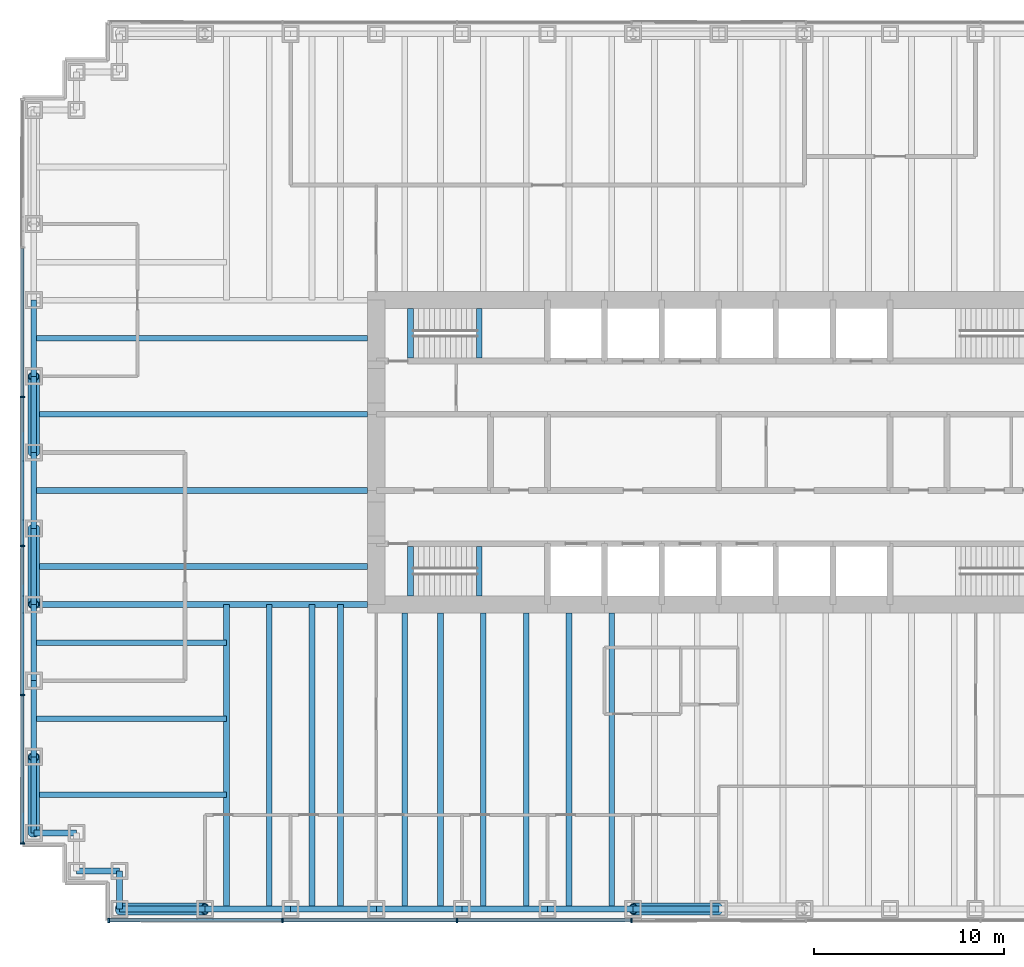
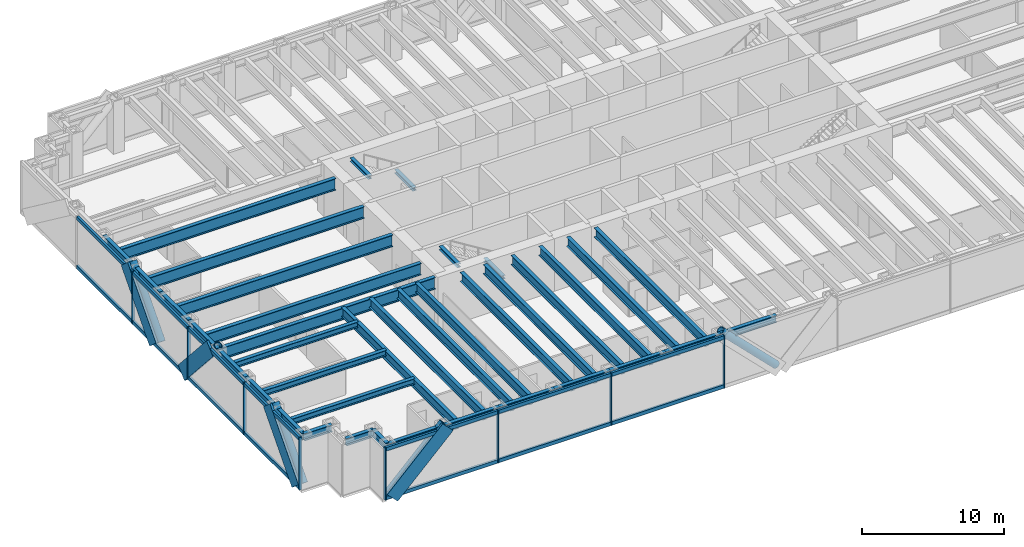
# One storey, part 2 of 13: 39 beams, 31 members, 2 elements without a shape of their own.
"""IFC4 building model written with IfcOpenShell, lengths in metres."""

import ifcopenshell
import ifcopenshell.guid

model = None  # the IFC model being written
_history = None  # IfcOwnerHistory: only IFC2X3 demands one
_inside = {}  # id of a spatial element -> (the spatial element, [elements in it])
_under = {}  # id of a project, library or spatial element -> (it, [spatial elements below it])
_declared = {}  # id of a project -> (the project, [libraries it declares])
_typed = {}  # id of a type object -> (the type object, [elements of that type])
_made_of = {}  # id of a material, layer set ... -> (it, [elements and type objects made of it])


def new_model(schema):
    """Start an empty IFC model of exactly this schema.

    Asked for "IFC4X3", IfcOpenShell would pick the latest addendum, in which some entities
    have other attributes; the version numbers below select the first issue.
    IFC2X3 requires an IfcOwnerHistory on every rooted entity: one is made here for all.
    """
    global model, _history
    if schema == "IFC4X3":
        model = ifcopenshell.file(schema_version=(4, 3, 0, 0))
    else:
        model = ifcopenshell.file(schema=schema)
    _inside.clear()
    _under.clear()
    _declared.clear()
    _typed.clear()
    _made_of.clear()
    _history = None
    if model.schema == "IFC2X3":
        org = make("IfcOrganization", Name="unknown")
        user = make(
            "IfcPersonAndOrganization",
            ThePerson=make("IfcPerson", FamilyName="unknown"),
            TheOrganization=org,
        )
        app = make(
            "IfcApplication",
            ApplicationDeveloper=org,
            Version="unknown",
            ApplicationFullName="unknown",
            ApplicationIdentifier="unknown",
        )
        _history = make(
            "IfcOwnerHistory",
            OwningUser=user,
            OwningApplication=app,
            ChangeAction="ADDED",
            CreationDate=0,
        )
    return model


def make(cls, **values):
    """One entity of the class cls with the attributes given. An attribute that is None is left unset."""
    return model.create_entity(
        cls, **{name: value for name, value in values.items() if value is not None}
    )


def rooted(cls, **values):
    """An entity with a GlobalId (a new one), such as an element, a storey or a relation."""
    return make(cls, GlobalId=ifcopenshell.guid.new(), OwnerHistory=_history, **values)


def si_unit(unit_type, name, prefix=None):
    """IfcSIUnit, for example si_unit("LENGTHUNIT", "METRE", prefix="MILLI")."""
    return make("IfcSIUnit", UnitType=unit_type, Prefix=prefix, Name=name)


def assignment(units):
    """IfcUnitAssignment: the units of a project."""
    return None if units is None else make("IfcUnitAssignment", Units=units)


def point(xyz):
    """IfcCartesianPoint."""
    return None if xyz is None else make("IfcCartesianPoint", Coordinates=xyz)


def direction(xyz):
    """IfcDirection."""
    return None if xyz is None else make("IfcDirection", DirectionRatios=xyz)


def frame(location, z_axis=None, x_axis=None):
    """IfcAxis2Placement3D, a coordinate frame: its origin and axes. An axis left out is left unset."""
    return make(
        "IfcAxis2Placement3D",
        Location=point(location),
        Axis=direction(z_axis),
        RefDirection=direction(x_axis),
    )


def frame_2d(location, x_axis=None):
    """IfcAxis2Placement2D, a coordinate frame in the plane: its origin and x axis."""
    return make(
        "IfcAxis2Placement2D", Location=point(location), RefDirection=direction(x_axis)
    )


def origin():
    """The frame at (0, 0, 0) with its axes left unset."""
    return frame((0.0, 0.0, 0.0))


def origin_2d():
    """The frame at (0, 0) in the plane with its x axis left unset."""
    return frame_2d((0.0, 0.0))


def place(relative_to, where):
    """IfcLocalPlacement: puts the frame where relative to a parent placement (None: the world)."""
    return make(
        "IfcLocalPlacement", PlacementRelTo=relative_to, RelativePlacement=where
    )


def context(
    kind, dimensions, precision=None, world=None, true_north=None, identifier=None
):
    """IfcGeometricRepresentationContext, for example the 3D "Model" context."""
    return make(
        "IfcGeometricRepresentationContext",
        ContextIdentifier=identifier,
        ContextType=kind,
        CoordinateSpaceDimension=dimensions,
        Precision=precision,
        WorldCoordinateSystem=world,
        TrueNorth=true_north,
    )


def subcontext(parent, identifier, kind, view, scale=None):
    """IfcGeometricRepresentationSubContext, for example "Body" below "Model"."""
    return make(
        "IfcGeometricRepresentationSubContext",
        ContextIdentifier=identifier,
        ContextType=kind,
        ParentContext=parent,
        TargetScale=scale,
        TargetView=view,
    )


def project(units=None, contexts=None):
    """IfcProject with its units and contexts."""
    return rooted(
        "IfcProject",
        Name="project",
        RepresentationContexts=contexts,
        UnitsInContext=assignment(units),
    )


def spatial(cls, under=None, at=None, **own):
    """A site, building, storey or space (cls), placed at a placement, below another one or the project."""
    s = rooted(cls, ObjectPlacement=at, **own)
    if under is not None:
        _under.setdefault(under.id(), (under, []))[1].append(s)
    return s


def profile(cls, at=None, kind="AREA", **sizes):
    """A parametric profile (cls). Its sizes go by their IFC names, for example OverallWidth=200.0."""
    return make(cls, ProfileType=kind, Position=at, **sizes)


def rectangle(**sizes):
    """IfcRectangleProfileDef."""
    return profile("IfcRectangleProfileDef", **sizes)


def hollow_circle(**sizes):
    """IfcCircleHollowProfileDef."""
    return profile("IfcCircleHollowProfileDef", **sizes)


def i_section(**sizes):
    """IfcIShapeProfileDef."""
    return profile("IfcIShapeProfileDef", **sizes)


def extrude(swept, where, along, depth):
    """IfcExtrudedAreaSolid: the profile swept, set in the frame where, extruded along a direction by depth."""
    return make(
        "IfcExtrudedAreaSolid",
        SweptArea=swept,
        Position=where,
        ExtrudedDirection=direction(along),
        Depth=depth,
    )


def shape(context_of_items, identifier, shape_type, items):
    """IfcShapeRepresentation: the items that make up one representation, for example the "Body"."""
    return make(
        "IfcShapeRepresentation",
        ContextOfItems=context_of_items,
        RepresentationIdentifier=identifier,
        RepresentationType=shape_type,
        Items=items,
    )


def material(Name=None, Category=None):
    """IfcMaterial."""
    return make("IfcMaterial", Name=Name, Category=Category)


def material_profile(
    of_material, cross_section, Name=None, Category=None, Priority=None
):
    """IfcMaterialProfile: a cross section and its material."""
    return make(
        "IfcMaterialProfile",
        Name=Name,
        Material=of_material,
        Profile=cross_section,
        Priority=Priority,
        Category=Category,
    )


def profile_set(profiles, Name=None, composite=None):
    """IfcMaterialProfileSet."""
    return make(
        "IfcMaterialProfileSet",
        Name=Name,
        MaterialProfiles=profiles,
        CompositeProfile=composite,
    )


def made_of(thing, what):
    """Note that an element or type object is made of a material, layer set ...; save() writes the relation."""
    if what is not None:
        _made_of.setdefault(what.id(), (what, []))[1].append(thing)
    return thing


def type_object(cls, material=None, **own):
    """A type object (cls), such as IfcWallType, which elements share."""
    return made_of(rooted(cls, **own), material)


def element(
    cls,
    number,
    at=None,
    inside=None,
    cuts=None,
    type_object=None,
    material=None,
    context=None,
    identifier="Body",
    shape_type=None,
    held_by="IfcProductDefinitionShape",
    body=None,
    shapes=None,
    **own,
):
    """One element of the class cls, such as IfcWall. Its Tag is "e" and its number.

    at: its placement. inside: the storey or other place that contains it. cuts: it is an
    opening in that element (IfcRelVoidsElement). A single representation is given by context,
    identifier, shape_type and body (its items); several are given by shapes. held_by: the class
    of the entity that holds the representations. save() writes the other relations.
    """
    e = rooted(cls, Tag="e%d" % number, ObjectPlacement=at, **own)
    if body is not None:
        shapes = [shape(context, identifier, shape_type, body)]
    if shapes is not None:
        e.Representation = make(held_by, Representations=shapes)
    if inside is not None:
        _inside.setdefault(inside.id(), (inside, []))[1].append(e)
    if cuts is not None:
        rooted(
            "IfcRelVoidsElement", RelatingBuildingElement=cuts, RelatedOpeningElement=e
        )
    if type_object is not None:
        _typed.setdefault(type_object.id(), (type_object, []))[1].append(e)
    return made_of(e, material)


def aggregate(whole, parts):
    """IfcRelAggregates: a whole, such as a stair, and the parts it consists of."""
    return rooted("IfcRelAggregates", RelatingObject=whole, RelatedObjects=parts)


def save(model, path):
    """Write the relations noted so far, then the file.

    IfcRelAggregates (storeys below a building ...), IfcRelContainedInSpatialStructure (elements
    in a storey), IfcRelDefinesByType, IfcRelAssociatesMaterial and IfcRelDeclares: one each for
    every whole, place, type object, material and project.
    """
    for whole, parts in _under.values():
        aggregate(whole, parts)
    for where, things in _inside.values():
        rooted(
            "IfcRelContainedInSpatialStructure",
            RelatedElements=things,
            RelatingStructure=where,
        )
    for kind, things in _typed.values():
        rooted("IfcRelDefinesByType", RelatedObjects=things, RelatingType=kind)
    for what, things in _made_of.values():
        rooted("IfcRelAssociatesMaterial", RelatedObjects=things, RelatingMaterial=what)
    for by, libraries in _declared.values():
        rooted("IfcRelDeclares", RelatingContext=by, RelatedDefinitions=libraries)
    model.write(path)


model = new_model("IFC4")

# Units and contexts
model_context = context("Model", 3, precision=1e-05, world=origin(), true_north=direction((0.0, 1.0)))
body_context = subcontext(model_context, "Body", "Model", "MODEL_VIEW")
ifc_project = project(units=[si_unit("LENGTHUNIT", "METRE"), si_unit("AREAUNIT", "SQUARE_METRE"), si_unit("VOLUMEUNIT", "CUBIC_METRE"), si_unit("PLANEANGLEUNIT", "RADIAN"), si_unit("MASSUNIT", "GRAM", prefix="KILO")], contexts=[model_context])

# Site, building, storey
site_placement = place(None, origin())
site = spatial("IfcSite", under=ifc_project, at=site_placement, CompositionType="ELEMENT")
building_placement = place(site_placement, origin())
building = spatial("IfcBuilding", under=site, at=building_placement, Name="Rheinbord Bourse Tower", CompositionType="ELEMENT")
storey_placement = place(building_placement, frame((0.0, 0.0, 63.5)))
storey = spatial("IfcBuildingStorey", under=building, at=storey_placement, Name="L13", CompositionType="ELEMENT", Elevation=63.5)

# Curtain wall, member
ifc_material_1 = material(Name="Dark glass and black aluminium", Category="aluminium")
curtain_wall_type = type_object("IfcCurtainWallType", Name="CW1 DARK GLASS CURTAIN WALL", PredefinedType="USERDEFINED", material=ifc_material_1)
curtain_wall_1_placement = place(storey_placement, origin())
curtain_wall_1 = element("IfcCurtainWall", 1, at=curtain_wall_1_placement, inside=storey, type_object=curtain_wall_type, Name="Curtain wall CW1 S L13", ObjectType="UNITISED CURTAIN WALL", PredefinedType="USERDEFINED")
ifc_material_2 = material(Name="Black anodised aluminium", Category="aluminium")
ifc_material_profile_1 = material_profile(ifc_material_2, rectangle(XDim=0.179931640625, YDim=1.2099609375, at=origin_2d()), Name="CW1 DIAGONAL MULLION 1210x180")
ifc_profile_set_1 = profile_set([ifc_material_profile_1], Name="Black anodised aluminium")
member_type_1 = type_object("IfcMemberType", Name="CW1 BLACK DIAGONAL MULLION", PredefinedType="USERDEFINED", material=ifc_profile_set_1)
member_1_placement = place(storey_placement, frame((4.5, -0.60009765625, 0.0), z_axis=(0.707106781187, 0.0, 0.707106781187), x_axis=(0.0, 1.0, 0.0)))
member_1 = element("IfcMember", 2, at=member_1_placement, type_object=member_type_1, Name="CW1 diagonal mullion b", ObjectType="DIAGONAL MULLION", PredefinedType="USERDEFINED", context=body_context, shape_type="SweptSolid", body=[
    extrude(rectangle(XDim=0.179931640625, YDim=1.2099609375, at=origin_2d()), origin(), (0.0, 0.0, 1.0), 6.364013671875),
])

# Curtain wall, members
curtain_wall_2_placement = place(storey_placement, origin())
curtain_wall_2 = element("IfcCurtainWall", 3, at=curtain_wall_2_placement, inside=storey, type_object=curtain_wall_type, Name="Curtain wall CW1 W L13", ObjectType="UNITISED CURTAIN WALL", PredefinedType="USERDEFINED")
member_2_placement = place(storey_placement, frame((-0.60009765625, 20.0, 0.0), z_axis=(0.0, -0.66436383883, 0.747409318684), x_axis=(1.0, 0.0, 0.0)))
member_2 = element("IfcMember", 4, at=member_2_placement, type_object=member_type_1, Name="CW1 diagonal mullion a", ObjectType="DIAGONAL MULLION", PredefinedType="USERDEFINED", context=body_context, shape_type="SweptSolid", body=[
    extrude(rectangle(XDim=0.179931640625, YDim=1.2099609375, at=origin_2d()), origin(), (0.0, 0.0, 1.0), 6.020751953125),
])
member_3_placement = place(storey_placement, frame((-0.60009765625, 24.0, 0.0), z_axis=(0.0, 0.66436383883, 0.747409318684), x_axis=(-1.0, 0.0, 0.0)))
member_3 = element("IfcMember", 5, at=member_3_placement, type_object=member_type_1, Name="CW1 diagonal mullion b", ObjectType="DIAGONAL MULLION", PredefinedType="USERDEFINED", context=body_context, shape_type="SweptSolid", body=[
    extrude(rectangle(XDim=0.179931640625, YDim=1.2099609375, at=origin_2d()), origin(), (0.0, 0.0, 1.0), 6.020751953125),
])
member_4_placement = place(storey_placement, frame((-0.60009765625, 4.0, 0.0), z_axis=(0.0, 0.66436383883, 0.747409318684), x_axis=(-1.0, 0.0, 0.0)))
member_4 = element("IfcMember", 6, at=member_4_placement, type_object=member_type_1, Name="CW1 diagonal mullion c", ObjectType="DIAGONAL MULLION", PredefinedType="USERDEFINED", context=body_context, shape_type="SweptSolid", body=[
    extrude(rectangle(XDim=0.179931640625, YDim=1.2099609375, at=origin_2d()), origin(), (0.0, 0.0, 1.0), 6.020751953125),
])

# Member
ifc_material_3 = material(Name="Black anodised aluminium", Category="aluminium")
ifc_material_profile_2 = material_profile(ifc_material_3, rectangle(XDim=0.25, YDim=0.080078125, at=origin_2d()), Name="CW1 MULLION 80x250")
ifc_profile_set_2 = profile_set([ifc_material_profile_2], Name="Black anodised aluminium")
member_type_2 = type_object("IfcMemberType", Name="CW1 BLACK MULLION", PredefinedType="MULLION", material=ifc_profile_set_2)
member_5_placement = place(storey_placement, frame((3.93994140625, -0.60009765625, 0.0), z_axis=(0.0, 0.0, 1.0), x_axis=(0.0, 1.0, 0.0)))
member_5 = element("IfcMember", 7, at=member_5_placement, type_object=member_type_2, Name="CW1 mullion 1", PredefinedType="MULLION", context=body_context, shape_type="SweptSolid", body=[
    extrude(rectangle(XDim=0.25, YDim=0.080078125, at=origin_2d()), origin(), (0.0, 0.0, 1.0), 4.5),
])

member_6_placement = place(storey_placement, frame((13.071533203125, -0.60009765625, 0.0), z_axis=(0.0, 0.0, 1.0), x_axis=(0.0, 1.0, 0.0)))
member_6 = element("IfcMember", 8, at=member_6_placement, type_object=member_type_2, Name="CW1 mullion 2", PredefinedType="MULLION", context=body_context, shape_type="SweptSolid", body=[
    extrude(rectangle(XDim=0.25, YDim=0.080078125, at=origin_2d()), origin(), (0.0, 0.0, 1.0), 4.5),
])

member_7_placement = place(storey_placement, frame((22.242919921875, -0.60009765625, 0.0), z_axis=(0.0, 0.0, 1.0), x_axis=(0.0, 1.0, 0.0)))
member_7 = element("IfcMember", 9, at=member_7_placement, type_object=member_type_2, Name="CW1 mullion 3", PredefinedType="MULLION", context=body_context, shape_type="SweptSolid", body=[
    extrude(rectangle(XDim=0.25, YDim=0.080078125, at=origin_2d()), origin(), (0.0, 0.0, 1.0), 4.5),
])

member_8_placement = place(storey_placement, frame((31.414306640625, -0.60009765625, 0.0), z_axis=(0.0, 0.0, 1.0), x_axis=(0.0, 1.0, 0.0)))
member_8 = element("IfcMember", 10, at=member_8_placement, type_object=member_type_2, Name="CW1 mullion 4", PredefinedType="MULLION", context=body_context, shape_type="SweptSolid", body=[
    extrude(rectangle(XDim=0.25, YDim=0.080078125, at=origin_2d()), origin(), (0.0, 0.0, 1.0), 4.5),
])

member_9_placement = place(storey_placement, frame((-0.60009765625, 26.919921875, 0.0), z_axis=(0.0, 0.0, 1.0), x_axis=(1.0, 0.0, 0.0)))
member_9 = element("IfcMember", 11, at=member_9_placement, type_object=member_type_2, Name="CW1 mullion 3", PredefinedType="MULLION", context=body_context, shape_type="SweptSolid", body=[
    extrude(rectangle(XDim=0.25, YDim=0.080078125, at=origin_2d()), origin(), (0.0, 0.0, 1.0), 4.5),
])

member_10_placement = place(storey_placement, frame((-0.60009765625, 19.080078125, 0.0), z_axis=(0.0, 0.0, 1.0), x_axis=(1.0, 0.0, 0.0)))
member_10 = element("IfcMember", 12, at=member_10_placement, type_object=member_type_2, Name="CW1 mullion 4", PredefinedType="MULLION", context=body_context, shape_type="SweptSolid", body=[
    extrude(rectangle(XDim=0.25, YDim=0.080078125, at=origin_2d()), origin(), (0.0, 0.0, 1.0), 4.5),
])

member_11_placement = place(storey_placement, frame((-0.60009765625, 11.239990234375, 0.0), z_axis=(0.0, 0.0, 1.0), x_axis=(1.0, 0.0, 0.0)))
member_11 = element("IfcMember", 13, at=member_11_placement, type_object=member_type_2, Name="CW1 mullion 5", PredefinedType="MULLION", context=body_context, shape_type="SweptSolid", body=[
    extrude(rectangle(XDim=0.25, YDim=0.080078125, at=origin_2d()), origin(), (0.0, 0.0, 1.0), 4.5),
])

member_12_placement = place(storey_placement, frame((-0.60009765625, 3.43994140625, 0.0), z_axis=(0.0, 0.0, 1.0), x_axis=(1.0, 0.0, 0.0)))
member_12 = element("IfcMember", 14, at=member_12_placement, type_object=member_type_2, Name="CW1 mullion 6", PredefinedType="MULLION", context=body_context, shape_type="SweptSolid", body=[
    extrude(rectangle(XDim=0.25, YDim=0.080078125, at=origin_2d()), origin(), (0.0, 0.0, 1.0), 4.5),
])

ifc_material_4 = material(Name="Black anodised aluminium", Category="aluminium")
ifc_material_profile_3 = material_profile(ifc_material_4, rectangle(XDim=0.179931640625, YDim=0.300048828125, at=origin_2d()), Name="CW1 TRANSOM 300x180")
ifc_profile_set_3 = profile_set([ifc_material_profile_3], Name="Black anodised aluminium")
member_type_3 = type_object("IfcMemberType", Name="CW1 BLACK TRANSOM", PredefinedType="USERDEFINED", material=ifc_profile_set_3)
member_13_placement = place(storey_placement, frame((3.97998046875, -0.60009765625, 0.14990234375), z_axis=(1.0, 0.0, 0.0), x_axis=(0.0, 1.0, 0.0)))
member_13 = element("IfcMember", 15, at=member_13_placement, type_object=member_type_3, Name="CW1 transom 1.1", ObjectType="TRANSOM", PredefinedType="USERDEFINED", context=body_context, shape_type="SweptSolid", body=[
    extrude(rectangle(XDim=0.179931640625, YDim=0.300048828125, at=origin_2d()), origin(), (0.0, 0.0, 1.0), 9.051513671875),
])

member_14_placement = place(storey_placement, frame((3.97998046875, -0.60009765625, 4.35009765625), z_axis=(1.0, 0.0, 0.0), x_axis=(0.0, 1.0, 0.0)))
member_14 = element("IfcMember", 16, at=member_14_placement, type_object=member_type_3, Name="CW1 transom 1.2", ObjectType="TRANSOM", PredefinedType="USERDEFINED", context=body_context, shape_type="SweptSolid", body=[
    extrude(rectangle(XDim=0.179931640625, YDim=0.300048828125, at=origin_2d()), origin(), (0.0, 0.0, 1.0), 9.051513671875),
])

member_15_placement = place(storey_placement, frame((13.111328125, -0.60009765625, 0.14990234375), z_axis=(1.0, 0.0, 0.0), x_axis=(0.0, 1.0, 0.0)))
member_15 = element("IfcMember", 17, at=member_15_placement, type_object=member_type_3, Name="CW1 transom 2.1", ObjectType="TRANSOM", PredefinedType="USERDEFINED", context=body_context, shape_type="SweptSolid", body=[
    extrude(rectangle(XDim=0.179931640625, YDim=0.300048828125, at=origin_2d()), origin(), (0.0, 0.0, 1.0), 9.091552734375),
])

member_16_placement = place(storey_placement, frame((13.111328125, -0.60009765625, 4.35009765625), z_axis=(1.0, 0.0, 0.0), x_axis=(0.0, 1.0, 0.0)))
member_16 = element("IfcMember", 18, at=member_16_placement, type_object=member_type_3, Name="CW1 transom 2.2", ObjectType="TRANSOM", PredefinedType="USERDEFINED", context=body_context, shape_type="SweptSolid", body=[
    extrude(rectangle(XDim=0.179931640625, YDim=0.300048828125, at=origin_2d()), origin(), (0.0, 0.0, 1.0), 9.091552734375),
])

member_17_placement = place(storey_placement, frame((22.282958984375, -0.60009765625, 0.14990234375), z_axis=(1.0, 0.0, 0.0), x_axis=(0.0, 1.0, 0.0)))
member_17 = element("IfcMember", 19, at=member_17_placement, type_object=member_type_3, Name="CW1 transom 3.1", ObjectType="TRANSOM", PredefinedType="USERDEFINED", context=body_context, shape_type="SweptSolid", body=[
    extrude(rectangle(XDim=0.179931640625, YDim=0.300048828125, at=origin_2d()), origin(), (0.0, 0.0, 1.0), 9.09130859375),
])

member_18_placement = place(storey_placement, frame((22.282958984375, -0.60009765625, 4.35009765625), z_axis=(1.0, 0.0, 0.0), x_axis=(0.0, 1.0, 0.0)))
member_18 = element("IfcMember", 20, at=member_18_placement, type_object=member_type_3, Name="CW1 transom 3.2", ObjectType="TRANSOM", PredefinedType="USERDEFINED", context=body_context, shape_type="SweptSolid", body=[
    extrude(rectangle(XDim=0.179931640625, YDim=0.300048828125, at=origin_2d()), origin(), (0.0, 0.0, 1.0), 9.09130859375),
])

aggregate(curtain_wall_1, [member_5, member_6, member_7, member_8, member_13, member_14, member_15, member_16, member_17, member_18, member_1])

member_19_placement = place(storey_placement, frame((-0.60009765625, 34.719970703125, 0.14990234375), z_axis=(0.0, -1.0, 0.0), x_axis=(1.0, 0.0, 0.0)))
member_19 = element("IfcMember", 21, at=member_19_placement, type_object=member_type_3, Name="CW1 transom 2.1", ObjectType="TRANSOM", PredefinedType="USERDEFINED", context=body_context, shape_type="SweptSolid", body=[
    extrude(rectangle(XDim=0.179931640625, YDim=0.300048828125, at=origin_2d()), origin(), (0.0, 0.0, 1.0), 7.760009765625),
])

member_20_placement = place(storey_placement, frame((-0.60009765625, 34.719970703125, 4.35009765625), z_axis=(0.0, -1.0, 0.0), x_axis=(1.0, 0.0, 0.0)))
member_20 = element("IfcMember", 22, at=member_20_placement, type_object=member_type_3, Name="CW1 transom 2.2", ObjectType="TRANSOM", PredefinedType="USERDEFINED", context=body_context, shape_type="SweptSolid", body=[
    extrude(rectangle(XDim=0.179931640625, YDim=0.300048828125, at=origin_2d()), origin(), (0.0, 0.0, 1.0), 7.760009765625),
])

member_21_placement = place(storey_placement, frame((-0.60009765625, 26.8798828125, 0.14990234375), z_axis=(0.0, -1.0, 0.0), x_axis=(1.0, 0.0, 0.0)))
member_21 = element("IfcMember", 23, at=member_21_placement, type_object=member_type_3, Name="CW1 transom 3.1", ObjectType="TRANSOM", PredefinedType="USERDEFINED", context=body_context, shape_type="SweptSolid", body=[
    extrude(rectangle(XDim=0.179931640625, YDim=0.300048828125, at=origin_2d()), origin(), (0.0, 0.0, 1.0), 7.759765625),
])

member_22_placement = place(storey_placement, frame((-0.60009765625, 26.8798828125, 4.35009765625), z_axis=(0.0, -1.0, 0.0), x_axis=(1.0, 0.0, 0.0)))
member_22 = element("IfcMember", 24, at=member_22_placement, type_object=member_type_3, Name="CW1 transom 3.2", ObjectType="TRANSOM", PredefinedType="USERDEFINED", context=body_context, shape_type="SweptSolid", body=[
    extrude(rectangle(XDim=0.179931640625, YDim=0.300048828125, at=origin_2d()), origin(), (0.0, 0.0, 1.0), 7.759765625),
])

member_23_placement = place(storey_placement, frame((-0.60009765625, 19.0400390625, 0.14990234375), z_axis=(0.0, -1.0, 0.0), x_axis=(1.0, 0.0, 0.0)))
member_23 = element("IfcMember", 25, at=member_23_placement, type_object=member_type_3, Name="CW1 transom 4.1", ObjectType="TRANSOM", PredefinedType="USERDEFINED", context=body_context, shape_type="SweptSolid", body=[
    extrude(rectangle(XDim=0.179931640625, YDim=0.300048828125, at=origin_2d()), origin(), (0.0, 0.0, 1.0), 7.760009765625),
])

member_24_placement = place(storey_placement, frame((-0.60009765625, 19.0400390625, 4.35009765625), z_axis=(0.0, -1.0, 0.0), x_axis=(1.0, 0.0, 0.0)))
member_24 = element("IfcMember", 26, at=member_24_placement, type_object=member_type_3, Name="CW1 transom 4.2", ObjectType="TRANSOM", PredefinedType="USERDEFINED", context=body_context, shape_type="SweptSolid", body=[
    extrude(rectangle(XDim=0.179931640625, YDim=0.300048828125, at=origin_2d()), origin(), (0.0, 0.0, 1.0), 7.760009765625),
])

member_25_placement = place(storey_placement, frame((-0.60009765625, 11.199951171875, 0.14990234375), z_axis=(0.0, -1.0, 0.0), x_axis=(1.0, 0.0, 0.0)))
member_25 = element("IfcMember", 27, at=member_25_placement, type_object=member_type_3, Name="CW1 transom 5.1", ObjectType="TRANSOM", PredefinedType="USERDEFINED", context=body_context, shape_type="SweptSolid", body=[
    extrude(rectangle(XDim=0.179931640625, YDim=0.300048828125, at=origin_2d()), origin(), (0.0, 0.0, 1.0), 7.719970703125),
])

member_26_placement = place(storey_placement, frame((-0.60009765625, 11.199951171875, 4.35009765625), z_axis=(0.0, -1.0, 0.0), x_axis=(1.0, 0.0, 0.0)))
member_26 = element("IfcMember", 28, at=member_26_placement, type_object=member_type_3, Name="CW1 transom 5.2", ObjectType="TRANSOM", PredefinedType="USERDEFINED", context=body_context, shape_type="SweptSolid", body=[
    extrude(rectangle(XDim=0.179931640625, YDim=0.300048828125, at=origin_2d()), origin(), (0.0, 0.0, 1.0), 7.719970703125),
])

aggregate(curtain_wall_2, [member_9, member_10, member_11, member_12, member_19, member_20, member_21, member_22, member_23, member_24, member_25, member_26, member_2, member_3, member_4])

# Beams
ifc_material_5 = material(Name="Steel S460", Category="steel")
ifc_material_profile_4 = material_profile(ifc_material_5, i_section(OverallWidth=0.302001953125, OverallDepth=1.008056640625, WebThickness=0.02099609375, FlangeThickness=0.0400390625, at=origin_2d()), Name="HEM 1000")
ifc_profile_set_4 = profile_set([ifc_material_profile_4], Name="Steel S460")
beam_type_1 = type_object("IfcBeamType", Name="END BEAM HEM 1000", PredefinedType="BEAM", material=ifc_profile_set_4)
for number, where, z_axis, x_axis, name in (
    (29, (0.0, 18.0, 3.81591796875), (1.0, 0.0, 0.0), (0.0, 1.0, 0.0), "End beam west 18 L14"),
    (30, (0.0, 22.0, 3.81591796875), (1.0, 0.0, 0.0), (0.0, 1.0, 0.0), "End beam west 22 L14"),
    (31, (0.0, 26.0, 3.81591796875), (1.0, 0.0, 0.0), (0.0, 1.0, 0.0), "End beam west 26 L14"),
    (32, (0.0, 30.0, 3.81591796875), (1.0, 0.0, 0.0), (0.0, 1.0, 0.0), "End beam west 30 L14"),
):
    element("IfcBeam", number, at=place(storey_placement, frame(where, z_axis=z_axis, x_axis=x_axis)), inside=storey, type_object=beam_type_1, Name=name, PredefinedType="BEAM", context=body_context, shape_type="SweptSolid", body=[
        extrude(i_section(OverallWidth=0.302001953125, OverallDepth=1.008056640625, WebThickness=0.02099609375, FlangeThickness=0.0400390625, at=origin_2d()), origin(), (0.0, 0.0, 1.0), 17.550048828125),
    ])
ifc_material_6 = material(Name="Steel S460", Category="steel")
ifc_material_profile_5 = material_profile(ifc_material_6, i_section(OverallWidth=0.300048828125, OverallDepth=0.800048828125, WebThickness=0.017578125, FlangeThickness=0.032958984375, at=origin_2d()), Name="HEB 800")
ifc_profile_set_5 = profile_set([ifc_material_profile_5], Name="Steel S460")
beam_type_2 = type_object("IfcBeamType", Name="FLOOR BEAM HEB 800", PredefinedType="BEAM", material=ifc_profile_set_5)
for number, where, z_axis, x_axis, name in (
    (33, (10.125, 0.0, 3.919921875), (0.0, 1.0, 0.0), (-1.0, 0.0, 0.0), "Floor beam S-9a L14"),
    (34, (12.375, 0.0, 3.919921875), (0.0, 1.0, 0.0), (-1.0, 0.0, 0.0), "Floor beam S-9b L14"),
    (35, (14.625, 0.0, 3.919921875), (0.0, 1.0, 0.0), (-1.0, 0.0, 0.0), "Floor beam S-13.5a L14"),
    (36, (16.125, 0.0, 3.919921875), (0.0, 1.0, 0.0), (-1.0, 0.0, 0.0), "Floor beam S-13.5b L14"),
):
    element("IfcBeam", number, at=place(storey_placement, frame(where, z_axis=z_axis, x_axis=x_axis)), inside=storey, type_object=beam_type_2, Name=name, PredefinedType="BEAM", context=body_context, shape_type="SweptSolid", body=[
        extrude(i_section(OverallWidth=0.300048828125, OverallDepth=0.800048828125, WebThickness=0.017578125, FlangeThickness=0.032958984375, at=origin_2d()), origin(), (0.0, 0.0, 1.0), 16.0),
    ])
for number, where, z_axis, x_axis, name in (
    (37, (19.5, 0.0, 3.919921875), (0.0, 1.0, 0.0), (-1.0, 0.0, 0.0), "Floor beam S-18a L14"),
    (38, (21.375, 0.0, 3.919921875), (0.0, 1.0, 0.0), (-1.0, 0.0, 0.0), "Floor beam S-18b L14"),
    (39, (23.625, 0.0, 3.919921875), (0.0, 1.0, 0.0), (-1.0, 0.0, 0.0), "Floor beam S-22.5a L14"),
    (40, (25.875, 0.0, 3.919921875), (0.0, 1.0, 0.0), (-1.0, 0.0, 0.0), "Floor beam S-22.5b L14"),
    (41, (28.125, 0.0, 3.919921875), (0.0, 1.0, 0.0), (-1.0, 0.0, 0.0), "Floor beam S-27a L14"),
    (42, (30.375, 0.0, 3.919921875), (0.0, 1.0, 0.0), (-1.0, 0.0, 0.0), "Floor beam S-27b L14"),
):
    element("IfcBeam", number, at=place(storey_placement, frame(where, z_axis=z_axis, x_axis=x_axis)), inside=storey, type_object=beam_type_2, Name=name, PredefinedType="BEAM", context=body_context, shape_type="SweptSolid", body=[
        extrude(i_section(OverallWidth=0.300048828125, OverallDepth=0.800048828125, WebThickness=0.017578125, FlangeThickness=0.032958984375, at=origin_2d()), origin(), (0.0, 0.0, 1.0), 15.550048828125),
    ])
ifc_material_7 = material(Name="Steel S460", Category="steel")
ifc_material_profile_6 = material_profile(ifc_material_7, i_section(OverallWidth=0.302001953125, OverallDepth=1.008056640625, WebThickness=0.02099609375, FlangeThickness=0.0400390625, at=origin_2d()), Name="HEM 1000")
ifc_profile_set_6 = profile_set([ifc_material_profile_6], Name="Steel S460")
beam_type_3 = type_object("IfcBeamType", Name="GIRDER HEM 1000", PredefinedType="BEAM", material=ifc_profile_set_6)
beam_1_placement = place(storey_placement, frame((0.0, 16.0, 3.81591796875), z_axis=(1.0, 0.0, 0.0), x_axis=(0.0, 1.0, 0.0)))
element("IfcBeam", 43, at=beam_1_placement, inside=storey, type_object=beam_type_3, Name="Girder west 16 L14", PredefinedType="BEAM", context=body_context, shape_type="SweptSolid", body=[
    extrude(i_section(OverallWidth=0.302001953125, OverallDepth=1.008056640625, WebThickness=0.02099609375, FlangeThickness=0.0400390625, at=origin_2d()), origin(), (0.0, 0.0, 1.0), 17.550048828125),
])
ifc_material_8 = material(Name="Steel S460", Category="steel")
ifc_material_profile_7 = material_profile(ifc_material_8, i_section(OverallWidth=0.300048828125, OverallDepth=0.300048828125, WebThickness=0.010986328125, FlangeThickness=0.01904296875, at=origin_2d()), Name="HEB 300")
ifc_profile_set_7 = profile_set([ifc_material_profile_7], Name="Steel S460")
beam_type_4 = type_object("IfcBeamType", Name="LANDING TRIMMER HEB 300", PredefinedType="BEAM", material=ifc_profile_set_7)
for number, where, z_axis, x_axis, name in (
    (44, (23.409912109375, 16.449951171875, 1.89990234375), (0.0, 1.0, 0.0), (-1.0, 0.0, 0.0), "Landing trimmer ST1 L13"),
    (45, (19.800048828125, 16.449951171875, 4.169921875), (0.0, 1.0, 0.0), (-1.0, 0.0, 0.0), "Well trimmer ST1 under L14"),
    (46, (23.409912109375, 28.949951171875, 1.89990234375), (0.0, 1.0, 0.0), (-1.0, 0.0, 0.0), "Landing trimmer ST2 L13"),
    (47, (19.800048828125, 28.949951171875, 4.169921875), (0.0, 1.0, 0.0), (-1.0, 0.0, 0.0), "Well trimmer ST2 under L14"),
):
    element("IfcBeam", number, at=place(storey_placement, frame(where, z_axis=z_axis, x_axis=x_axis)), inside=storey, type_object=beam_type_4, Name=name, PredefinedType="BEAM", context=body_context, shape_type="SweptSolid", body=[
        extrude(i_section(OverallWidth=0.300048828125, OverallDepth=0.300048828125, WebThickness=0.010986328125, FlangeThickness=0.01904296875, at=origin_2d()), origin(), (0.0, 0.0, 1.0), 2.60009765625),
    ])

# Members
ifc_material_9 = material(Name="Steel S460", Category="steel")
ifc_material_profile_8 = material_profile(ifc_material_9, hollow_circle(Radius=0.304931640625, WallThickness=0.050048828125, at=origin_2d()), Name="CHS 610x50")
ifc_profile_set_8 = profile_set([ifc_material_profile_8], Name="Steel S460")
member_type_4 = type_object("IfcMemberType", Name="MEGABRACE CHS 610x50", PredefinedType="BRACE", material=ifc_profile_set_8)
for number, where, z_axis, x_axis, name in (
    (48, (4.5, 0.0, 0.0), (0.707106781187, 0.0, 0.707106781187), (0.0, 1.0, 0.0), "Megabrace S face line b L13"),
    (49, (36.0, 0.0, 0.0), (-0.707106781187, 0.0, 0.707106781187), (0.0, -1.0, 0.0), "Megabrace S face line c L13"),
):
    element("IfcMember", number, at=place(storey_placement, frame(where, z_axis=z_axis, x_axis=x_axis)), inside=storey, type_object=member_type_4, Name=name, PredefinedType="BRACE", context=body_context, shape_type="SweptSolid", body=[
        extrude(hollow_circle(Radius=0.304931640625, WallThickness=0.050048828125, at=origin_2d()), origin(), (0.0, 0.0, 1.0), 6.364013671875),
    ])
for number, where, z_axis, x_axis, name in (
    (50, (0.0, 20.0, 0.0), (0.0, -0.66436383883, 0.747409318684), (1.0, 0.0, 0.0), "Megabrace W face line a L13"),
    (51, (0.0, 24.0, 0.0), (0.0, 0.66436383883, 0.747409318684), (-1.0, 0.0, 0.0), "Megabrace W face line b L13"),
    (52, (0.0, 4.0, 0.0), (0.0, 0.66436383883, 0.747409318684), (-1.0, 0.0, 0.0), "Megabrace W face line c L13"),
):
    element("IfcMember", number, at=place(storey_placement, frame(where, z_axis=z_axis, x_axis=x_axis)), inside=storey, type_object=member_type_4, Name=name, PredefinedType="BRACE", context=body_context, shape_type="SweptSolid", body=[
        extrude(hollow_circle(Radius=0.304931640625, WallThickness=0.050048828125, at=origin_2d()), origin(), (0.0, 0.0, 1.0), 6.020751953125),
    ])

# Beams
ifc_material_10 = material(Name="Steel S460", Category="steel")
ifc_material_profile_9 = material_profile(ifc_material_10, i_section(OverallWidth=0.304931640625, OverallDepth=0.6201171875, WebThickness=0.02099609375, FlangeThickness=0.0400390625, at=origin_2d()), Name="HEM 600")
ifc_profile_set_9 = profile_set([ifc_material_profile_9], Name="Steel S460")
beam_type_5 = type_object("IfcBeamType", Name="SPANDREL HEM 600", PredefinedType="SPANDREL", material=ifc_profile_set_9)
for number, where, z_axis, x_axis, name in (
    (53, (4.5, 0.0, 4.010009765625), (1.0, 0.0, 0.0), (0.0, 1.0, 0.0), "Spandrel SW-E-S-9 under L14"),
    (54, (9.0, 0.0, 4.010009765625), (1.0, 0.0, 0.0), (0.0, 1.0, 0.0), "Spandrel S-9-S-13.5 under L14"),
    (55, (13.5, 0.0, 4.010009765625), (1.0, 0.0, 0.0), (0.0, 1.0, 0.0), "Spandrel S-13.5-S-18 under L14"),
    (56, (18.0, 0.0, 4.010009765625), (1.0, 0.0, 0.0), (0.0, 1.0, 0.0), "Spandrel S-18-S-22.5 under L14"),
    (57, (22.5, 0.0, 4.010009765625), (1.0, 0.0, 0.0), (0.0, 1.0, 0.0), "Spandrel S-22.5-S-27 under L14"),
    (58, (27.0, 0.0, 4.010009765625), (1.0, 0.0, 0.0), (0.0, 1.0, 0.0), "Spandrel S-27-S-31.5 under L14"),
    (59, (31.5, 0.0, 4.010009765625), (1.0, 0.0, 0.0), (0.0, 1.0, 0.0), "Spandrel S-31.5-S-36 under L14"),
):
    element("IfcBeam", number, at=place(storey_placement, frame(where, z_axis=z_axis, x_axis=x_axis)), inside=storey, type_object=beam_type_5, Name=name, PredefinedType="SPANDREL", context=body_context, shape_type="SweptSolid", body=[
        extrude(i_section(OverallWidth=0.304931640625, OverallDepth=0.6201171875, WebThickness=0.02099609375, FlangeThickness=0.0400390625, at=origin_2d()), origin(), (0.0, 0.0, 1.0), 4.5),
    ])
for number, where, z_axis, x_axis, name in (
    (60, (0.0, 32.0, 4.010009765625), (0.0, -1.0, 0.0), (1.0, 0.0, 0.0), "Spandrel W-32-W-28 under L14"),
    (61, (0.0, 28.0, 4.010009765625), (0.0, -1.0, 0.0), (1.0, 0.0, 0.0), "Spandrel W-28-W-24 under L14"),
    (62, (0.0, 24.0, 4.010009765625), (0.0, -1.0, 0.0), (1.0, 0.0, 0.0), "Spandrel W-24-W-20 under L14"),
    (63, (0.0, 20.0, 4.010009765625), (0.0, -1.0, 0.0), (1.0, 0.0, 0.0), "Spandrel W-20-W-16 under L14"),
    (64, (0.0, 16.0, 4.010009765625), (0.0, -1.0, 0.0), (1.0, 0.0, 0.0), "Spandrel W-16-W-12 under L14"),
    (65, (0.0, 12.0, 4.010009765625), (0.0, -1.0, 0.0), (1.0, 0.0, 0.0), "Spandrel W-12-W-8 under L14"),
    (66, (0.0, 8.0, 4.010009765625), (0.0, -1.0, 0.0), (1.0, 0.0, 0.0), "Spandrel W-8-SW-A under L14"),
):
    element("IfcBeam", number, at=place(storey_placement, frame(where, z_axis=z_axis, x_axis=x_axis)), inside=storey, type_object=beam_type_5, Name=name, PredefinedType="SPANDREL", context=body_context, shape_type="SweptSolid", body=[
        extrude(i_section(OverallWidth=0.304931640625, OverallDepth=0.6201171875, WebThickness=0.02099609375, FlangeThickness=0.0400390625, at=origin_2d()), origin(), (0.0, 0.0, 1.0), 4.0),
    ])
for number, where, z_axis, x_axis, name in (
    (67, (0.0, 4.0, 4.010009765625), (1.0, 0.0, 0.0), (0.0, 1.0, 0.0), "Spandrel SW-A-SW-B under L14"),
    (68, (2.25, 2.0, 4.010009765625), (1.0, 0.0, 0.0), (0.0, 1.0, 0.0), "Spandrel SW-C-SW-D under L14"),
):
    element("IfcBeam", number, at=place(storey_placement, frame(where, z_axis=z_axis, x_axis=x_axis)), inside=storey, type_object=beam_type_5, Name=name, PredefinedType="SPANDREL", context=body_context, shape_type="SweptSolid", body=[
        extrude(i_section(OverallWidth=0.304931640625, OverallDepth=0.6201171875, WebThickness=0.02099609375, FlangeThickness=0.0400390625, at=origin_2d()), origin(), (0.0, 0.0, 1.0), 2.25),
    ])
beam_2_placement = place(storey_placement, frame((4.5, 2.0, 4.010009765625), z_axis=(0.0, -1.0, 0.0), x_axis=(1.0, 0.0, 0.0)))
element("IfcBeam", 69, at=beam_2_placement, inside=storey, type_object=beam_type_5, Name="Spandrel SW-D-SW-E under L14", PredefinedType="SPANDREL", context=body_context, shape_type="SweptSolid", body=[
    extrude(i_section(OverallWidth=0.304931640625, OverallDepth=0.6201171875, WebThickness=0.02099609375, FlangeThickness=0.0400390625, at=origin_2d()), origin(), (0.0, 0.0, 1.0), 2.0),
])
ifc_material_11 = material(Name="Steel S460", Category="steel")
ifc_material_profile_10 = material_profile(ifc_material_11, i_section(OverallWidth=0.300048828125, OverallDepth=0.5, WebThickness=0.014404296875, FlangeThickness=0.028076171875, at=origin_2d()), Name="HEB 500")
ifc_profile_set_10 = profile_set([ifc_material_profile_10], Name="Steel S460")
beam_type_6 = type_object("IfcBeamType", Name="TIE BEAM HEB 500", PredefinedType="JOIST", material=ifc_profile_set_10)
for number, where, z_axis, x_axis, name in (
    (70, (0.0, 6.0, 4.070068359375), (1.0, 0.0, 0.0), (0.0, 1.0, 0.0), "Tie west 6 L14"),
    (71, (0.0, 10.0, 4.070068359375), (1.0, 0.0, 0.0), (0.0, 1.0, 0.0), "Tie west 10 L14"),
    (72, (0.0, 14.0, 4.070068359375), (1.0, 0.0, 0.0), (0.0, 1.0, 0.0), "Tie west 14 L14"),
):
    element("IfcBeam", number, at=place(storey_placement, frame(where, z_axis=z_axis, x_axis=x_axis)), inside=storey, type_object=beam_type_6, Name=name, PredefinedType="JOIST", context=body_context, shape_type="SweptSolid", body=[
        extrude(i_section(OverallWidth=0.300048828125, OverallDepth=0.5, WebThickness=0.014404296875, FlangeThickness=0.028076171875, at=origin_2d()), origin(), (0.0, 0.0, 1.0), 10.125),
    ])

save(model, "model.ifc")
